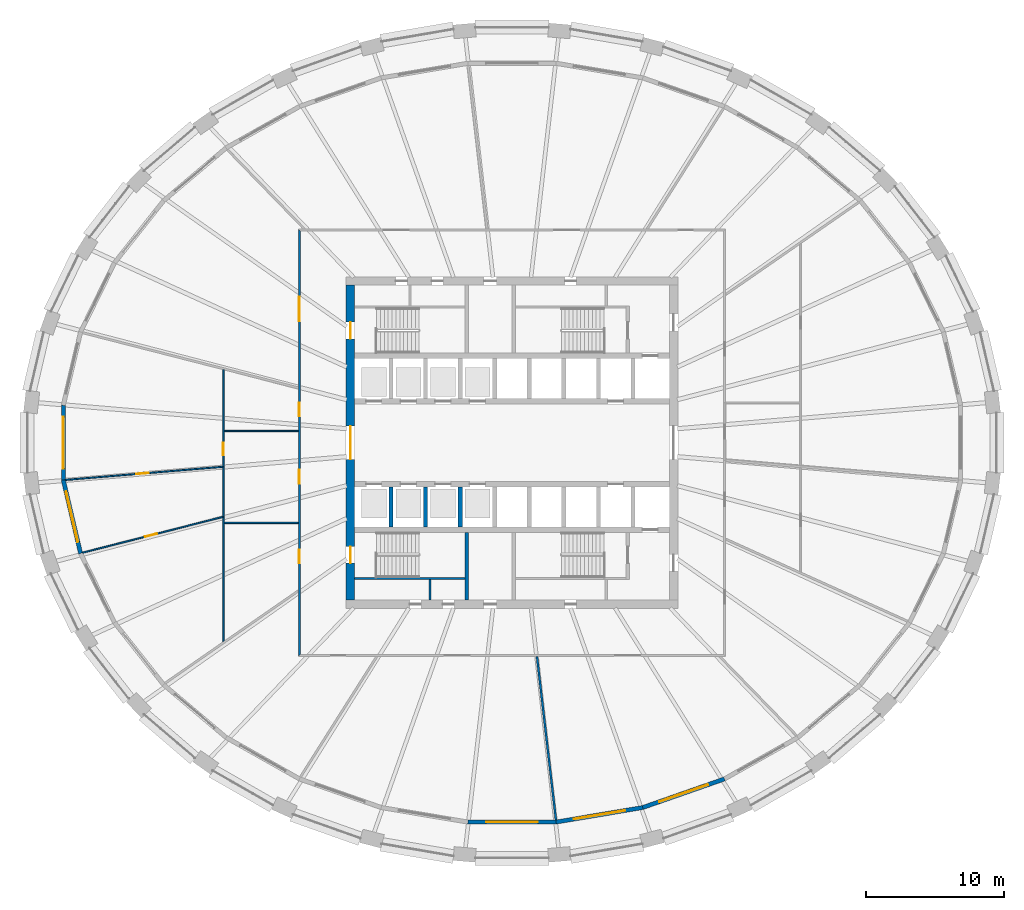
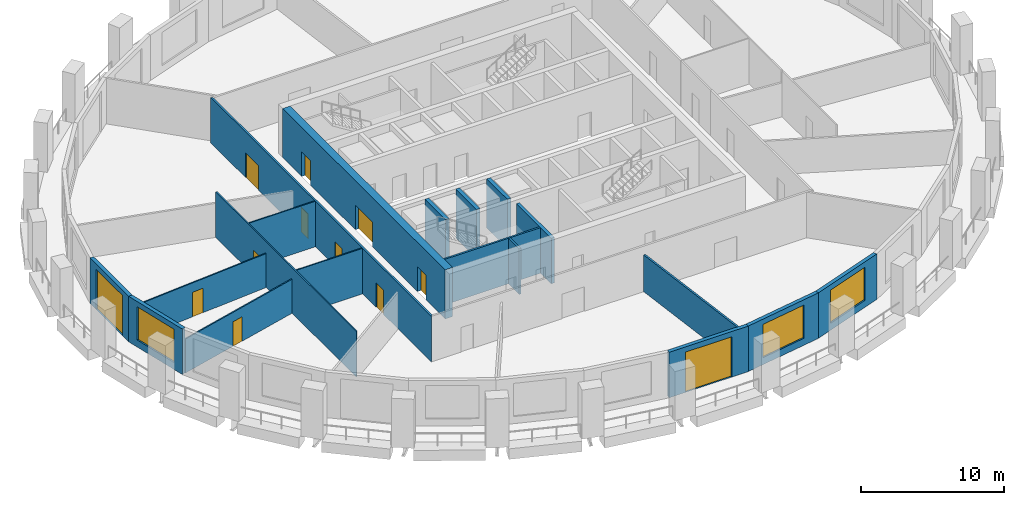
# One storey, part 3 of 10: 19 walls, 12 doors, 3 windows, 15 openings.
"""IFC4 building model written with IfcOpenShell, lengths in metres."""

from ifc_helpers import new_model, si_unit, direction, frame, frame_2d, origin, place, context, subcontext, project, spatial, polyline, rectangle, outline, extrude, material, layer, layer_set, type_object, element, fill, save


model = new_model("IFC4")

# Units and contexts
model_context = context("Model", 3, precision=1e-05, world=origin(), true_north=direction((0.0, 1.0)))
body_context = subcontext(model_context, "Body", "Model", "MODEL_VIEW")
ifc_project = project(units=[si_unit("LENGTHUNIT", "METRE"), si_unit("AREAUNIT", "SQUARE_METRE"), si_unit("VOLUMEUNIT", "CUBIC_METRE"), si_unit("PLANEANGLEUNIT", "RADIAN"), si_unit("MASSUNIT", "GRAM", prefix="KILO")], contexts=[model_context])

# Site, building, storey
site_placement = place(None, origin())
site = spatial("IfcSite", under=ifc_project, at=site_placement, CompositionType="ELEMENT")
building_placement = place(site_placement, origin())
building = spatial("IfcBuilding", under=site, at=building_placement, Name="Halqa Exchange Tower", CompositionType="ELEMENT")
storey_placement = place(building_placement, frame((0.0, 0.0, 112.89990234375)))
storey = spatial("IfcBuildingStorey", under=building, at=storey_placement, Name="L25", CompositionType="ELEMENT", Elevation=112.89990234375)

# Wall, openings, doors
ifc_material_1 = material(Name="Fire-rated gypsum board")
ifc_layer_1 = layer(ifc_material_1, 0.14990234375)
ifc_layer_set_1 = layer_set([ifc_layer_1], Name="Fire-rated gypsum board")
wall_type_1 = type_object("IfcWallType", Name="Fire partition EI 60 150", PredefinedType="PARTITIONING", material=ifc_layer_set_1)
wall_1_placement = place(storey_placement, frame((-15.39990234375, -15.47509765625, 0.0), z_axis=(0.0, 0.0, 1.0), x_axis=(0.0, 1.0, 0.0)))
wall_1 = element("IfcWall", 1, at=wall_1_placement, inside=storey, type_object=wall_type_1, Name="L25-PWL-008", PredefinedType="PARTITIONING", context=body_context, shape_type="SweptSolid", body=[
    extrude(outline(polyline([(0.150146484375, -0.074951171875), (2.065673828125, -0.074951171875), (3.9814453125, -0.074951171875), (5.89697265625, -0.074951171875), (7.8125, -0.074951171875), (9.728271484375, -0.074951171875), (11.643798828125, -0.074951171875), (13.5595703125, -0.074951171875), (15.47509765625, -0.074951171875), (17.390625, -0.074951171875), (19.306396484375, -0.074951171875), (21.221923828125, -0.074951171875), (23.1376953125, -0.074951171875), (25.05322265625, -0.074951171875), (26.96875, -0.074951171875), (28.884521484375, -0.074951171875), (30.800048828125, -0.074951171875), (30.949951171875, 0.074951171875), (29.015625, 0.074951171875), (27.081298828125, 0.074951171875), (25.14697265625, 0.074951171875), (23.21240234375, 0.074951171875), (21.278076171875, 0.074951171875), (19.34375, 0.074951171875), (17.409423828125, 0.074951171875), (15.47509765625, 0.074951171875), (13.540771484375, 0.074951171875), (11.6064453125, 0.074951171875), (9.672119140625, 0.074951171875), (7.73779296875, 0.074951171875), (5.80322265625, 0.074951171875), (3.868896484375, 0.074951171875), (1.9345703125, 0.074951171875), (0.000244140625, 0.074951171875), (0.150146484375, -0.074951171875)])), origin(), (0.0, 0.0, 1.0), 3.900146484375),
])
opening_1_placement = place(wall_1_placement, frame((24.25, 0.0, 0.0)))
opening_1 = element("IfcOpeningElement", 2, at=opening_1_placement, cuts=wall_1, Name="Opening 07-04", PredefinedType="OPENING", context=body_context, shape_type="SweptSolid", body=[
    extrude(rectangle(XDim=1.800048828125, YDim=2.10009765625, at=frame_2d((0.89990234375, 1.050048828125))), frame((0.0, 0.0869140625, 0.0), z_axis=(0.0, -1.0, 0.0), x_axis=(1.0, 0.0, 0.0)), (0.0, 0.0, 1.0), 0.173828125),
])
opening_2_placement = place(wall_1_placement, frame((6.735107421875, 0.0, 0.0)))
opening_2 = element("IfcOpeningElement", 3, at=opening_2_placement, cuts=wall_1, Name="Opening 07-05", PredefinedType="OPENING", context=body_context, shape_type="SweptSolid", body=[
    extrude(rectangle(XDim=1.0, YDim=2.10009765625, at=frame_2d((0.5, 1.050048828125))), frame((0.0, 0.0869140625, 0.0), z_axis=(0.0, -1.0, 0.0), x_axis=(1.0, 0.0, 0.0)), (0.0, 0.0, 1.0), 0.173828125),
])
opening_3_placement = place(wall_1_placement, frame((12.5, 0.0, 0.0)))
opening_3 = element("IfcOpeningElement", 4, at=opening_3_placement, cuts=wall_1, Name="Opening 07-06", PredefinedType="OPENING", context=body_context, shape_type="SweptSolid", body=[
    extrude(rectangle(XDim=1.0, YDim=2.10009765625, at=frame_2d((0.5, 1.050048828125))), frame((0.0, 0.0869140625, 0.0), z_axis=(0.0, -1.0, 0.0), x_axis=(1.0, 0.0, 0.0)), (0.0, 0.0, 1.0), 0.173828125),
])
opening_4_placement = place(wall_1_placement, frame((17.375, 0.0, 0.0)))
opening_4 = element("IfcOpeningElement", 5, at=opening_4_placement, cuts=wall_1, Name="Opening 07-07", PredefinedType="OPENING", context=body_context, shape_type="SweptSolid", body=[
    extrude(rectangle(XDim=1.0, YDim=2.10009765625, at=frame_2d((0.5, 1.050048828125))), frame((0.0, 0.0869140625, 0.0), z_axis=(0.0, -1.0, 0.0), x_axis=(1.0, 0.0, 0.0)), (0.0, 0.0, 1.0), 0.173828125),
])
ifc_material_2 = material(Name="Steel fire door leaf", Category="steel")
door_type_1 = type_object("IfcDoorType", Name="Fire door FD30S 1000 x 2100", OperationType="SINGLE_SWING_LEFT", PredefinedType="DOOR", material=ifc_material_2)
door_1_placement = place(opening_2_placement, origin())
door_1 = element("IfcDoor", 6, at=door_1_placement, inside=storey, type_object=door_type_1, Name="L25-IDR-005", OperationType="SINGLE_SWING_RIGHT", OverallHeight=2.10009765625, OverallWidth=1.0, PredefinedType="DOOR", context=body_context, shape_type="SweptSolid", body=[
    extrude(rectangle(XDim=1.0, YDim=2.10009765625, at=frame_2d((0.5, 1.050048828125))), frame((0.0, 0.02490234375, 0.0), z_axis=(0.0, -1.0, 0.0), x_axis=(1.0, 0.0, 0.0)), (0.0, 0.0, 1.0), 0.050048828125),
])
fill(opening_2, door_1)
door_2_placement = place(opening_3_placement, origin())
door_2 = element("IfcDoor", 7, at=door_2_placement, inside=storey, type_object=door_type_1, Name="L25-IDR-006", OperationType="SINGLE_SWING_RIGHT", OverallHeight=2.10009765625, OverallWidth=1.0, PredefinedType="DOOR", context=body_context, shape_type="SweptSolid", body=[
    extrude(rectangle(XDim=1.0, YDim=2.10009765625, at=frame_2d((0.5, 1.050048828125))), frame((0.0, 0.02490234375, 0.0), z_axis=(0.0, -1.0, 0.0), x_axis=(1.0, 0.0, 0.0)), (0.0, 0.0, 1.0), 0.050048828125),
])
fill(opening_3, door_2)
door_3_placement = place(opening_4_placement, origin())
door_3 = element("IfcDoor", 8, at=door_3_placement, inside=storey, type_object=door_type_1, Name="L25-IDR-007", OperationType="SINGLE_SWING_RIGHT", OverallHeight=2.10009765625, OverallWidth=1.0, PredefinedType="DOOR", context=body_context, shape_type="SweptSolid", body=[
    extrude(rectangle(XDim=1.0, YDim=2.10009765625, at=frame_2d((0.5, 1.050048828125))), frame((0.0, 0.02490234375, 0.0), z_axis=(0.0, -1.0, 0.0), x_axis=(1.0, 0.0, 0.0)), (0.0, 0.0, 1.0), 0.050048828125),
])
fill(opening_4, door_3)
door_type_2 = type_object("IfcDoorType", Name="Fire door FD30S double 1800 x 2100", OperationType="DOUBLE_DOOR_SINGLE_SWING", PredefinedType="DOOR", material=ifc_material_2)
door_4_placement = place(opening_1_placement, origin())
door_4 = element("IfcDoor", 9, at=door_4_placement, inside=storey, type_object=door_type_2, Name="L25-IDR-004", OperationType="DOUBLE_DOOR_SINGLE_SWING", OverallHeight=2.10009765625, OverallWidth=1.800048828125, PredefinedType="DOOR", context=body_context, shape_type="SweptSolid", body=[
    extrude(rectangle(XDim=1.800048828125, YDim=2.10009765625, at=frame_2d((0.89990234375, 1.050048828125))), frame((0.0, 0.02490234375, 0.0), z_axis=(0.0, -1.0, 0.0), x_axis=(1.0, 0.0, 0.0)), (0.0, 0.0, 1.0), 0.050048828125),
])
fill(opening_1, door_4)

# Wall
wall_2_placement = place(storey_placement, frame((1.8076171875, -15.466552734375, 0.0), z_axis=(0.0, 0.0, 1.0), x_axis=(0.115425226741, -0.993316171736, 0.0)))
element("IfcWall", 10, at=wall_2_placement, inside=storey, type_object=wall_type_1, Name="L25-PWL-014", PredefinedType="PARTITIONING", context=body_context, shape_type="SweptSolid", body=[
    extrude(outline(polyline([(0.0, -0.074951171875), (1.98681640625, -0.074951171875), (3.973388671875, -0.074951171875), (5.960205078125, -0.074951171875), (7.947021484375, -0.074951171875), (9.93359375, -0.074951171875), (11.92041015625, -0.074951171875), (11.925048828125, -0.03466796875), (11.925048828125, 0.074951171875), (9.9404296875, 0.074951171875), (7.955810546875, 0.074951171875), (5.97119140625, 0.074951171875), (3.986572265625, 0.074951171875), (2.001953125, 0.074951171875), (0.017333984375, 0.074951171875), (0.0, -0.0732421875), (0.0, -0.074951171875)])), origin(), (0.0, 0.0, 1.0), 3.147216796875),
])

# Wall, opening, door
ifc_material_3 = material(Name="Gypsum board")
ifc_layer_2 = layer(ifc_material_3, 0.10009765625)
ifc_layer_set_2 = layer_set([ifc_layer_2], Name="Gypsum board")
wall_type_2 = type_object("IfcWallType", Name="Partition 100 gypsum", PredefinedType="PARTITIONING", material=ifc_layer_set_2)
wall_3_placement = place(storey_placement, frame((-20.89990234375, -14.43359375, 0.0), z_axis=(0.0, 0.0, 1.0), x_axis=(0.0, 1.0, 0.0)))
wall_3 = element("IfcWall", 11, at=wall_3_placement, inside=storey, type_object=wall_type_2, Name="L25-PWL-003", PredefinedType="PARTITIONING", context=body_context, shape_type="SweptSolid", body=[
    extrude(outline(polyline([(0.0693359375, -0.050048828125), (1.772216796875, -0.050048828125), (3.47509765625, -0.050048828125), (5.177978515625, -0.050048828125), (6.880859375, -0.050048828125), (8.58349609375, -0.050048828125), (8.58349609375, -0.0498046875), (8.68359375, -0.0498046875), (8.68359375, -0.050048828125), (10.321044921875, -0.050048828125), (11.95849609375, -0.050048828125), (13.59619140625, -0.050048828125), (15.233642578125, -0.050048828125), (15.233642578125, -0.0498046875), (15.33349609375, -0.0498046875), (15.33349609375, -0.050048828125), (16.789306640625, -0.050048828125), (18.2451171875, -0.050048828125), (19.701171875, -0.050048828125), (19.7265625, 0.049560546875), (19.7265625, 0.050048828125), (17.941650390625, 0.050048828125), (16.156494140625, 0.050048828125), (14.37158203125, 0.050048828125), (12.586669921875, 0.050048828125), (10.801513671875, 0.050048828125), (9.0166015625, 0.050048828125), (9.009765625, 0.04833984375), (9.00927734375, 0.050048828125), (7.20751953125, 0.050048828125), (5.405517578125, 0.050048828125), (3.603759765625, 0.050048828125), (1.8017578125, 0.050048828125), (0.0, 0.050048828125), (0.0693359375, -0.050048828125)])), origin(), (0.0, 0.0, 1.0), 3.900146484375),
])
opening_5_placement = place(wall_3_placement, frame((13.53857421875, 0.0, 0.0)))
opening_5 = element("IfcOpeningElement", 12, at=opening_5_placement, cuts=wall_3, Name="Opening 07-15", PredefinedType="OPENING", context=body_context, shape_type="SweptSolid", body=[
    extrude(rectangle(XDim=0.89990234375, YDim=2.10009765625, at=frame_2d((0.449951171875, 1.050048828125))), frame((0.0, 0.06201171875, 0.0), z_axis=(0.0, -1.0, 0.0), x_axis=(1.0, 0.0, 0.0)), (0.0, 0.0, 1.0), 0.1240234375),
])
ifc_material_4 = material(Name="Timber door leaf", Category="wood")
door_type_3 = type_object("IfcDoorType", Name="Door 900 x 2100", OperationType="SINGLE_SWING_LEFT", PredefinedType="DOOR", material=ifc_material_4)
door_5_placement = place(opening_5_placement, frame((0.89990234375, 0.0, 0.0), z_axis=(0.0, 0.0, 1.0), x_axis=(-1.0, 0.0, 0.0)))
door_5 = element("IfcDoor", 13, at=door_5_placement, inside=storey, type_object=door_type_3, Name="L25-IDR-015", OperationType="SINGLE_SWING_RIGHT", OverallHeight=2.10009765625, OverallWidth=0.89990234375, PredefinedType="DOOR", context=body_context, shape_type="SweptSolid", body=[
    extrude(rectangle(XDim=0.89990234375, YDim=2.10009765625, at=frame_2d((0.449951171875, 1.050048828125))), frame((0.0, 0.02490234375, 0.0), z_axis=(0.0, -1.0, 0.0), x_axis=(1.0, 0.0, 0.0)), (0.0, 0.0, 1.0), 0.050048828125),
])
fill(opening_5, door_5)

# Wall
wall_4_placement = place(storey_placement, frame((-20.85009765625, -5.800048828125, 0.0), z_axis=(0.0, 0.0, 1.0), x_axis=(1.0, 0.0, 0.0)))
element("IfcWall", 14, at=wall_4_placement, inside=storey, type_object=wall_type_2, Name="L25-PWL-004", PredefinedType="PARTITIONING", context=body_context, shape_type="SweptSolid", body=[
    extrude(rectangle(XDim=5.375, YDim=0.10009765625, at=frame_2d((2.6875, 0.0))), origin(), (0.0, 0.0, 1.0), 3.900146484375),
])

# Wall, opening, door
wall_5_placement = place(storey_placement, frame((-20.937744140625, -5.36962890625, 0.0), z_axis=(0.0, 0.0, 1.0), x_axis=(-0.968822345516, -0.247756458702, 0.0)))
wall_5 = element("IfcWall", 15, at=wall_5_placement, inside=storey, type_object=wall_type_2, Name="L25-PWL-005", PredefinedType="PARTITIONING", context=body_context, shape_type="SweptSolid", body=[
    extrude(outline(polyline([(10.478759765625, -0.050048828125), (10.478759765625, 0.00732421875), (10.469970703125, 0.050048828125), (8.72900390625, 0.050048828125), (6.98828125, 0.050048828125), (5.24755859375, 0.050048828125), (3.5068359375, 0.050048828125), (1.76611328125, 0.050048828125), (0.025390625, 0.050048828125), (0.0, -0.049560546875), (0.0, -0.050048828125), (1.74658203125, -0.050048828125), (3.492919921875, -0.050048828125), (5.2392578125, -0.050048828125), (6.98583984375, -0.050048828125), (8.732421875, -0.050048828125), (10.478759765625, -0.050048828125)])), origin(), (0.0, 0.0, 1.0), 2.91015625),
])
opening_6_placement = place(wall_5_placement, frame((4.919677734375, 0.0, 0.0)))
opening_6 = element("IfcOpeningElement", 16, at=opening_6_placement, cuts=wall_5, Name="Opening 07-17", PredefinedType="OPENING", context=body_context, shape_type="SweptSolid", body=[
    extrude(rectangle(XDim=0.89990234375, YDim=2.10009765625, at=frame_2d((0.449951171875, 1.050048828125))), frame((0.0, 0.06201171875, 0.0), z_axis=(0.0, -1.0, 0.0), x_axis=(1.0, 0.0, 0.0)), (0.0, 0.0, 1.0), 0.1240234375),
])
door_6_placement = place(opening_6_placement, frame((0.89990234375, 0.0, 0.0), z_axis=(0.0, 0.0, 1.0), x_axis=(-1.0, 0.0, 0.0)))
door_6 = element("IfcDoor", 17, at=door_6_placement, inside=storey, type_object=door_type_3, Name="L25-IDR-017", OperationType="SINGLE_SWING_RIGHT", OverallHeight=2.10009765625, OverallWidth=0.89990234375, PredefinedType="DOOR", context=body_context, shape_type="SweptSolid", body=[
    extrude(rectangle(XDim=0.89990234375, YDim=2.10009765625, at=frame_2d((0.449951171875, 1.050048828125))), frame((0.0, 0.02490234375, 0.0), z_axis=(0.0, -1.0, 0.0), x_axis=(1.0, 0.0, 0.0)), (0.0, 0.0, 1.0), 0.050048828125),
])
fill(opening_6, door_6)

wall_6_placement = place(storey_placement, frame((-20.94580078125, -1.743896484375, 0.0), z_axis=(0.0, 0.0, 1.0), x_axis=(-0.996528638139, -0.083250665871, 0.0)))
wall_6 = element("IfcWall", 18, at=wall_6_placement, inside=storey, type_object=wall_type_2, Name="L25-PWL-006", PredefinedType="PARTITIONING", context=body_context, shape_type="SweptSolid", body=[
    extrude(outline(polyline([(11.42236328125, -0.050048828125), (11.42236328125, 0.0234375), (11.41845703125, 0.050048828125), (9.5166015625, 0.050048828125), (7.614990234375, 0.050048828125), (5.71337890625, 0.050048828125), (3.811767578125, 0.050048828125), (1.91015625, 0.050048828125), (0.00830078125, 0.050048828125), (0.0, -0.050048828125), (1.90380859375, -0.050048828125), (3.807373046875, -0.050048828125), (5.711181640625, -0.050048828125), (7.614990234375, -0.050048828125), (9.5185546875, -0.050048828125), (11.42236328125, -0.050048828125)])), origin(), (0.0, 0.0, 1.0), 2.91015625),
])
opening_7_placement = place(wall_6_placement, frame((5.389404296875, 0.0, 0.0)))
opening_7 = element("IfcOpeningElement", 19, at=opening_7_placement, cuts=wall_6, Name="Opening 07-16", PredefinedType="OPENING", context=body_context, shape_type="SweptSolid", body=[
    extrude(rectangle(XDim=0.89990234375, YDim=2.10009765625, at=frame_2d((0.449951171875, 1.050048828125))), frame((0.0, 0.06201171875, 0.0), z_axis=(0.0, -1.0, 0.0), x_axis=(1.0, 0.0, 0.0)), (0.0, 0.0, 1.0), 0.1240234375),
])
door_7_placement = place(opening_7_placement, origin())
door_7 = element("IfcDoor", 20, at=door_7_placement, inside=storey, type_object=door_type_3, Name="L25-IDR-016", OperationType="SINGLE_SWING_LEFT", OverallHeight=2.10009765625, OverallWidth=0.89990234375, PredefinedType="DOOR", context=body_context, shape_type="SweptSolid", body=[
    extrude(rectangle(XDim=0.89990234375, YDim=2.10009765625, at=frame_2d((0.449951171875, 1.050048828125))), frame((0.0, 0.02490234375, 0.0), z_axis=(0.0, -1.0, 0.0), x_axis=(1.0, 0.0, 0.0)), (0.0, 0.0, 1.0), 0.050048828125),
])
fill(opening_7, door_7)

# Walls
wall_7_placement = place(storey_placement, frame((-20.85009765625, 0.85009765625, 0.0), z_axis=(0.0, 0.0, 1.0), x_axis=(1.0, 0.0, 0.0)))
element("IfcWall", 21, at=wall_7_placement, inside=storey, type_object=wall_type_2, Name="L25-PWL-007", PredefinedType="PARTITIONING", context=body_context, shape_type="SweptSolid", body=[
    extrude(rectangle(XDim=5.375, YDim=0.10009765625, at=frame_2d((2.6875, 0.0))), origin(), (0.0, 0.0, 1.0), 3.900146484375),
])
ifc_layer_3 = layer(ifc_material_3, 0.14990234375)
ifc_layer_set_3 = layer_set([ifc_layer_3], Name="Gypsum board")
wall_type_3 = type_object("IfcWallType", Name="Penthouse riser wall 150 gypsum", PredefinedType="PARTITIONING", material=ifc_layer_set_3)
wall_8_placement = place(storey_placement, frame((-5.925048828125, -11.39990234375, 0.0), z_axis=(0.0, 0.0, 1.0), x_axis=(0.0, 1.0, 0.0)))
element("IfcWall", 22, at=wall_8_placement, inside=storey, type_object=wall_type_3, Name="Partition W5.925 S", PredefinedType="PARTITIONING", context=body_context, shape_type="SweptSolid", body=[
    extrude(rectangle(XDim=1.5, YDim=0.14990234375, at=frame_2d((0.75, 0.0))), origin(), (0.0, 0.0, 1.0), 3.900146484375),
])
ifc_material_5 = material(Name="Concrete C60/75", Category="concrete")
ifc_layer_4 = layer(ifc_material_5, 0.300048828125)
ifc_layer_set_4 = layer_set([ifc_layer_4], Name="Concrete C60/75")
wall_type_4 = type_object("IfcWallType", Name="RC core wall 300", PredefinedType="SHEAR", material=ifc_layer_set_4)
for number, where, z_axis, x_axis, name in (
    (23, (-8.75, -6.10009765625, 0.0), (0.0, 0.0, 1.0), (0.0, 1.0, 0.0), "Shaft divider S1"),
    (24, (-6.25, -6.10009765625, 0.0), (0.0, 0.0, 1.0), (0.0, 1.0, 0.0), "Shaft divider S2"),
    (25, (-3.75, -6.10009765625, 0.0), (0.0, 0.0, 1.0), (0.0, 1.0, 0.0), "Shaft divider S3"),
):
    element("IfcWall", number, at=place(storey_placement, frame(where, z_axis=z_axis, x_axis=x_axis)), inside=storey, type_object=wall_type_4, Name=name, PredefinedType="SHEAR", context=body_context, shape_type="SweptSolid", body=[
        extrude(rectangle(XDim=2.900146484375, YDim=0.300048828125, at=frame_2d((1.4501953125, 0.0))), origin(), (0.0, 0.0, 1.0), 4.2001953125),
    ])

# Wall, openings, doors
ifc_material_6 = material(Name="Concrete C70/85", Category="concrete")
ifc_layer_5 = layer(ifc_material_6, 0.60009765625)
ifc_layer_set_5 = layer_set([ifc_layer_5], Name="Concrete C70/85")
wall_type_5 = type_object("IfcWallType", Name="RC core wall 600 C70/85", PredefinedType="SHEAR", material=ifc_layer_set_5)
wall_9_placement = place(storey_placement, frame((-11.699951171875, -11.39990234375, 0.0), z_axis=(0.0, 0.0, 1.0), x_axis=(0.0, 1.0, 0.0)))
wall_9 = element("IfcWall", 26, at=wall_9_placement, inside=storey, type_object=wall_type_5, Name="Core wall west", PredefinedType="SHEAR", context=body_context, shape_type="SweptSolid", body=[
    extrude(rectangle(XDim=22.7998046875, YDim=0.60009765625, at=frame_2d((11.39990234375, 0.0))), origin(), (0.0, 0.0, 1.0), 4.2001953125),
])
opening_8_placement = place(wall_9_placement, frame((10.199951171875, 0.0, 0.0)))
opening_8 = element("IfcOpeningElement", 27, at=opening_8_placement, cuts=wall_9, Name="Opening T07-C13", PredefinedType="OPENING", context=body_context, shape_type="SweptSolid", body=[
    extrude(rectangle(XDim=2.39990234375, YDim=2.10009765625, at=frame_2d((1.199951171875, 1.050048828125))), frame((0.0, 0.31201171875, 0.0), z_axis=(0.0, -1.0, 0.0), x_axis=(1.0, 0.0, 0.0)), (0.0, 0.0, 1.0), 0.6240234375),
])
opening_9_placement = place(wall_9_placement, frame((18.925048828125, 0.0, 0.0)))
opening_9 = element("IfcOpeningElement", 28, at=opening_9_placement, cuts=wall_9, Name="Opening T07-C15", PredefinedType="OPENING", context=body_context, shape_type="SweptSolid", body=[
    extrude(rectangle(XDim=1.199951171875, YDim=2.10009765625, at=frame_2d((0.60009765625, 1.050048828125))), frame((0.0, 0.31201171875, 0.0), z_axis=(0.0, -1.0, 0.0), x_axis=(1.0, 0.0, 0.0)), (0.0, 0.0, 1.0), 0.6240234375),
])
opening_10_placement = place(wall_9_placement, frame((2.675048828125, 0.0, 0.0)))
opening_10 = element("IfcOpeningElement", 29, at=opening_10_placement, cuts=wall_9, Name="Opening T07-C17", PredefinedType="OPENING", context=body_context, shape_type="SweptSolid", body=[
    extrude(rectangle(XDim=1.199951171875, YDim=2.10009765625, at=frame_2d((0.60009765625, 1.050048828125))), frame((0.0, 0.31201171875, 0.0), z_axis=(0.0, -1.0, 0.0), x_axis=(1.0, 0.0, 0.0)), (0.0, 0.0, 1.0), 0.6240234375),
])
door_type_4 = type_object("IfcDoorType", Name="Lobby double door FD60 2400 x 2100", OperationType="DOUBLE_DOOR_SINGLE_SWING", PredefinedType="DOOR", material=ifc_material_2)
door_8_placement = place(opening_8_placement, frame((2.39990234375, 0.0, 0.0), z_axis=(0.0, 0.0, 1.0), x_axis=(-1.0, 0.0, 0.0)))
door_8 = element("IfcDoor", 30, at=door_8_placement, inside=storey, type_object=door_type_4, Name="Lift lobby double door", OperationType="DOUBLE_DOOR_SINGLE_SWING", OverallHeight=2.10009765625, OverallWidth=2.39990234375, PredefinedType="DOOR", context=body_context, shape_type="SweptSolid", body=[
    extrude(rectangle(XDim=2.39990234375, YDim=2.10009765625, at=frame_2d((1.199951171875, 1.050048828125))), frame((0.0, 0.02490234375, 0.0), z_axis=(0.0, -1.0, 0.0), x_axis=(1.0, 0.0, 0.0)), (0.0, 0.0, 1.0), 0.050048828125),
])
fill(opening_8, door_8)
door_type_5 = type_object("IfcDoorType", Name="Stair door FD90 1200 x 2100", OperationType="SINGLE_SWING_LEFT", PredefinedType="DOOR", material=ifc_material_2)
door_9_placement = place(opening_9_placement, frame((1.199951171875, 0.0, 0.0), z_axis=(0.0, 0.0, 1.0), x_axis=(-1.0, 0.0, 0.0)))
door_9 = element("IfcDoor", 31, at=door_9_placement, inside=storey, type_object=door_type_5, Name="Stair door ST1", OperationType="SINGLE_SWING_LEFT", OverallHeight=2.10009765625, OverallWidth=1.199951171875, PredefinedType="DOOR", context=body_context, shape_type="SweptSolid", body=[
    extrude(rectangle(XDim=1.199951171875, YDim=2.10009765625, at=frame_2d((0.60009765625, 1.050048828125))), frame((0.0, 0.02490234375, 0.0), z_axis=(0.0, -1.0, 0.0), x_axis=(1.0, 0.0, 0.0)), (0.0, 0.0, 1.0), 0.050048828125),
])
fill(opening_9, door_9)
door_10_placement = place(opening_10_placement, frame((1.199951171875, 0.0, 0.0), z_axis=(0.0, 0.0, 1.0), x_axis=(-1.0, 0.0, 0.0)))
door_10 = element("IfcDoor", 32, at=door_10_placement, inside=storey, type_object=door_type_5, Name="Stair door ST3", OperationType="SINGLE_SWING_LEFT", OverallHeight=2.10009765625, OverallWidth=1.199951171875, PredefinedType="DOOR", context=body_context, shape_type="SweptSolid", body=[
    extrude(rectangle(XDim=1.199951171875, YDim=2.10009765625, at=frame_2d((0.60009765625, 1.050048828125))), frame((0.0, 0.02490234375, 0.0), z_axis=(0.0, -1.0, 0.0), x_axis=(1.0, 0.0, 0.0)), (0.0, 0.0, 1.0), 0.050048828125),
])
fill(opening_10, door_10)

# Walls
ifc_material_7 = material(Name="Concrete C30/37", Category="concrete")
ifc_layer_6 = layer(ifc_material_7, 0.14990234375)
ifc_layer_set_6 = layer_set([ifc_layer_6], Name="Concrete C30/37")
wall_type_6 = type_object("IfcWallType", Name="RC stair wall 150 C30/37", PredefinedType="SHEAR", material=ifc_layer_set_6)
wall_10_placement = place(storey_placement, frame((-11.39990234375, -9.824951171875, 0.0), z_axis=(0.0, 0.0, 1.0), x_axis=(1.0, 0.0, 0.0)))
element("IfcWall", 33, at=wall_10_placement, inside=storey, type_object=wall_type_6, Name="Stair ST1 north wall S", PredefinedType="SHEAR", context=body_context, shape_type="SweptSolid", body=[
    extrude(rectangle(XDim=8.0, YDim=0.14990234375, at=frame_2d((4.0, 0.0))), origin(), (0.0, 0.0, 1.0), 3.900146484375),
])
ifc_layer_7 = layer(ifc_material_7, 0.25)
ifc_layer_set_7 = layer_set([ifc_layer_7], Name="Concrete C30/37")
wall_type_7 = type_object("IfcWallType", Name="RC stair wall 250 C30/37", PredefinedType="SHEAR", material=ifc_layer_set_7)
wall_11_placement = place(storey_placement, frame((-3.27490234375, -11.39990234375, 0.0), z_axis=(0.0, 0.0, 1.0), x_axis=(0.0, 1.0, 0.0)))
element("IfcWall", 34, at=wall_11_placement, inside=storey, type_object=wall_type_7, Name="Stair ST1 east wall S", PredefinedType="SHEAR", context=body_context, shape_type="SweptSolid", body=[
    extrude(rectangle(XDim=4.89990234375, YDim=0.25, at=frame_2d((2.449951171875, 0.0))), origin(), (0.0, 0.0, 1.0), 3.900146484375),
])

# Wall, opening, door
ifc_material_8 = material(Name="Limestone cladding", Category="masonry")
ifc_layer_8 = layer(ifc_material_8, 0.0400390625)
ifc_material_9 = material(Name="Ventilated cavity")
ifc_layer_9 = layer(ifc_material_9, 0.030029296875, ventilated=True)
ifc_material_10 = material(Name="Mineral wool insulation")
ifc_layer_10 = layer(ifc_material_10, 0.10009765625)
ifc_layer_11 = layer(ifc_material_7, 0.10009765625)
ifc_material_11 = material(Name="Internal plaster")
ifc_layer_12 = layer(ifc_material_11, 0.030029296875)
ifc_layer_set_8 = layer_set([ifc_layer_8, ifc_layer_9, ifc_layer_10, ifc_layer_11, ifc_layer_12], Name="Stone-faced insulated wall 300")
wall_type_8 = type_object("IfcWallType", Name="Stone-faced insulated wall 300", PredefinedType="STANDARD", material=ifc_layer_set_8)
wall_12_placement = place(storey_placement, frame((-32.483154296875, 2.707763671875, 0.0), z_axis=(0.0, 0.0, 1.0), x_axis=(0.0, -1.0, 0.0)))
wall_12 = element("IfcWall", 35, at=wall_12_placement, inside=storey, type_object=wall_type_8, Name="Glass-line wall 16", PredefinedType="STANDARD", context=body_context, shape_type="SweptSolid", body=[
    extrude(outline(polyline([(-0.017333984375, -0.14990234375), (5.432861328125, -0.14990234375), (5.398193359375, 0.14990234375), (0.017333984375, 0.14990234375), (-0.017333984375, -0.14990234375)])), origin(), (0.0, 0.0, 1.0), 3.900146484375),
])
opening_11_placement = place(wall_12_placement, frame((0.832763671875, 0.0, 0.0)))
opening_11 = element("IfcOpeningElement", 36, at=opening_11_placement, cuts=wall_12, Name="Opening LG-F2-04", PredefinedType="OPENING", context=body_context, shape_type="SweptSolid", body=[
    extrude(rectangle(XDim=3.75, YDim=3.449951171875, at=frame_2d((1.875, 1.72509765625))), frame((0.0, 0.162109375, 0.0), z_axis=(0.0, -1.0, 0.0), x_axis=(1.0, 0.0, 0.0)), (0.0, 0.0, 1.0), 0.323974609375),
])
ifc_material_12 = material(Name="Clear low-emissivity glass in aluminium frame", Category="aluminium")
door_type_6 = type_object("IfcDoorType", Name="Glazed sliding loggia door 3750 x 3450", OperationType="DOUBLE_DOOR_SLIDING", PredefinedType="DOOR", material=ifc_material_12)
door_11_placement = place(opening_11_placement, origin())
door_11 = element("IfcDoor", 37, at=door_11_placement, inside=storey, type_object=door_type_6, Name="Loggia door 4", OperationType="DOUBLE_DOOR_SLIDING", OverallHeight=3.449951171875, OverallWidth=3.75, PredefinedType="DOOR", context=body_context, shape_type="SweptSolid", body=[
    extrude(rectangle(XDim=3.75, YDim=3.449951171875, at=frame_2d((1.875, 1.72509765625))), frame((0.0, 0.02490234375, 0.0), z_axis=(0.0, -1.0, 0.0), x_axis=(1.0, 0.0, 0.0)), (0.0, 0.0, 1.0), 0.050048828125),
])
fill(opening_11, door_11)

# Wall, opening, window
wall_13_placement = place(storey_placement, frame((-32.483154296875, -2.707763671875, 0.0), z_axis=(0.0, 0.0, 1.0), x_axis=(0.229193964616, -0.973380771632, 0.0)))
wall_13 = element("IfcWall", 38, at=wall_13_placement, inside=storey, type_object=wall_type_8, Name="Glass-line wall 17", PredefinedType="STANDARD", context=body_context, shape_type="SweptSolid", body=[
    extrude(outline(polyline([(-0.017333984375, -0.14990234375), (5.472900390625, -0.14990234375), (5.439208984375, 0.14990234375), (0.017333984375, 0.14990234375), (-0.017333984375, -0.14990234375)])), origin(), (0.0, 0.0, 1.0), 3.900146484375),
])
opening_12_placement = place(wall_13_placement, frame((0.85302734375, 0.0, 0.60009765625)))
opening_12 = element("IfcOpeningElement", 39, at=opening_12_placement, cuts=wall_13, Name="Opening W-F2-17", PredefinedType="OPENING", context=body_context, shape_type="SweptSolid", body=[
    extrude(rectangle(XDim=3.75, YDim=2.85009765625, at=frame_2d((1.875, 1.425048828125))), frame((0.0, 0.162109375, 0.0), z_axis=(0.0, -1.0, 0.0), x_axis=(1.0, 0.0, 0.0)), (0.0, 0.0, 1.0), 0.323974609375),
])
window_type = type_object("IfcWindowType", Name="Fixed clear glazed window 3750 x 2850", PartitioningType="TRIPLE_PANEL_VERTICAL", PredefinedType="WINDOW", material=ifc_material_12)
window_1_placement = place(opening_12_placement, origin())
window_1 = element("IfcWindow", 40, at=window_1_placement, inside=storey, type_object=window_type, Name="Window 2", OverallHeight=2.85009765625, OverallWidth=3.75, PartitioningType="TRIPLE_PANEL_VERTICAL", PredefinedType="WINDOW", context=body_context, shape_type="SweptSolid", body=[
    extrude(rectangle(XDim=3.75, YDim=2.85009765625, at=frame_2d((1.875, 1.425048828125))), frame((0.0, 0.030029296875, 0.0), z_axis=(0.0, -1.0, 0.0), x_axis=(1.0, 0.0, 0.0)), (0.0, 0.0, 1.0), 0.06005859375),
])
fill(opening_12, window_1)

# Wall, opening, door
wall_14_placement = place(storey_placement, frame((-3.197021484375, -27.4658203125, 0.0), z_axis=(0.0, 0.0, 1.0), x_axis=(1.0, 0.0, 0.0)))
wall_14 = element("IfcWall", 41, at=wall_14_placement, inside=storey, type_object=wall_type_8, Name="Glass-line wall 24", PredefinedType="STANDARD", context=body_context, shape_type="SweptSolid", body=[
    extrude(outline(polyline([(-0.012451171875, -0.14990234375), (6.406494140625, -0.14990234375), (6.381591796875, 0.14990234375), (0.012451171875, 0.14990234375), (-0.012451171875, -0.14990234375)])), origin(), (0.0, 0.0, 1.0), 3.900146484375),
])
opening_13_placement = place(wall_14_placement, frame((1.322021484375, 0.0, 0.0)))
opening_13 = element("IfcOpeningElement", 42, at=opening_13_placement, cuts=wall_14, Name="Opening LG-F2-06", PredefinedType="OPENING", context=body_context, shape_type="SweptSolid", body=[
    extrude(rectangle(XDim=3.75, YDim=3.449951171875, at=frame_2d((1.875, 1.72509765625))), frame((0.0, 0.162109375, 0.0), z_axis=(0.0, -1.0, 0.0), x_axis=(1.0, 0.0, 0.0)), (0.0, 0.0, 1.0), 0.323974609375),
])
door_12_placement = place(opening_13_placement, origin())
door_12 = element("IfcDoor", 43, at=door_12_placement, inside=storey, type_object=door_type_6, Name="Loggia door 6", OperationType="DOUBLE_DOOR_SLIDING", OverallHeight=3.449951171875, OverallWidth=3.75, PredefinedType="DOOR", context=body_context, shape_type="SweptSolid", body=[
    extrude(rectangle(XDim=3.75, YDim=3.449951171875, at=frame_2d((1.875, 1.72509765625))), frame((0.0, 0.02490234375, 0.0), z_axis=(0.0, -1.0, 0.0), x_axis=(1.0, 0.0, 0.0)), (0.0, 0.0, 1.0), 0.050048828125),
])
fill(opening_13, door_12)

# Wall, opening, window
wall_15_placement = place(storey_placement, frame((3.197021484375, -27.4658203125, 0.0), z_axis=(0.0, 0.0, 1.0), x_axis=(0.986178310488, 0.165687476666, 0.0)))
wall_15 = element("IfcWall", 44, at=wall_15_placement, inside=storey, type_object=wall_type_8, Name="Glass-line wall 25", PredefinedType="STANDARD", context=body_context, shape_type="SweptSolid", body=[
    extrude(outline(polyline([(-0.012451171875, -0.14990234375), (6.372314453125, -0.14990234375), (6.346923828125, 0.14990234375), (0.012451171875, 0.14990234375), (-0.012451171875, -0.14990234375)])), origin(), (0.0, 0.0, 1.0), 3.900146484375),
])
opening_14_placement = place(wall_15_placement, frame((1.3046875, 0.0, 0.60009765625)))
opening_14 = element("IfcOpeningElement", 45, at=opening_14_placement, cuts=wall_15, Name="Opening W-F2-25", PredefinedType="OPENING", context=body_context, shape_type="SweptSolid", body=[
    extrude(rectangle(XDim=3.75, YDim=2.85009765625, at=frame_2d((1.875, 1.425048828125))), frame((0.0, 0.162109375, 0.0), z_axis=(0.0, -1.0, 0.0), x_axis=(1.0, 0.0, 0.0)), (0.0, 0.0, 1.0), 0.323974609375),
])
window_2_placement = place(opening_14_placement, origin())
window_2 = element("IfcWindow", 46, at=window_2_placement, inside=storey, type_object=window_type, Name="Window 2", OverallHeight=2.85009765625, OverallWidth=3.75, PartitioningType="TRIPLE_PANEL_VERTICAL", PredefinedType="WINDOW", context=body_context, shape_type="SweptSolid", body=[
    extrude(rectangle(XDim=3.75, YDim=2.85009765625, at=frame_2d((1.875, 1.425048828125))), frame((0.0, 0.030029296875, 0.0), z_axis=(0.0, -1.0, 0.0), x_axis=(1.0, 0.0, 0.0)), (0.0, 0.0, 1.0), 0.06005859375),
])
fill(opening_14, window_2)

wall_16_placement = place(storey_placement, frame((9.46875, -26.412109375, 0.0), z_axis=(0.0, 0.0, 1.0), x_axis=(0.943866868202, 0.330326104193, 0.0)))
wall_16 = element("IfcWall", 47, at=wall_16_placement, inside=storey, type_object=wall_type_8, Name="Glass-line wall 26", PredefinedType="STANDARD", context=body_context, shape_type="SweptSolid", body=[
    extrude(outline(polyline([(-0.0126953125, -0.14990234375), (6.2734375, -0.14990234375), (6.24658203125, 0.14990234375), (0.0126953125, 0.14990234375), (-0.0126953125, -0.14990234375)])), origin(), (0.0, 0.0, 1.0), 3.900146484375),
])
opening_15_placement = place(wall_16_placement, frame((1.255126953125, 0.0, 0.60009765625)))
opening_15 = element("IfcOpeningElement", 48, at=opening_15_placement, cuts=wall_16, Name="Opening W-F2-26", PredefinedType="OPENING", context=body_context, shape_type="SweptSolid", body=[
    extrude(rectangle(XDim=3.75, YDim=2.85009765625, at=frame_2d((1.875, 1.425048828125))), frame((0.0, 0.162109375, 0.0), z_axis=(0.0, -1.0, 0.0), x_axis=(1.0, 0.0, 0.0)), (0.0, 0.0, 1.0), 0.323974609375),
])
window_3_placement = place(opening_15_placement, origin())
window_3 = element("IfcWindow", 49, at=window_3_placement, inside=storey, type_object=window_type, Name="Window 2", OverallHeight=2.85009765625, OverallWidth=3.75, PartitioningType="TRIPLE_PANEL_VERTICAL", PredefinedType="WINDOW", context=body_context, shape_type="SweptSolid", body=[
    extrude(rectangle(XDim=3.75, YDim=2.85009765625, at=frame_2d((1.875, 1.425048828125))), frame((0.0, 0.030029296875, 0.0), z_axis=(0.0, -1.0, 0.0), x_axis=(1.0, 0.0, 0.0)), (0.0, 0.0, 1.0), 0.06005859375),
])
fill(opening_15, window_3)

save(model, "model.ifc")
